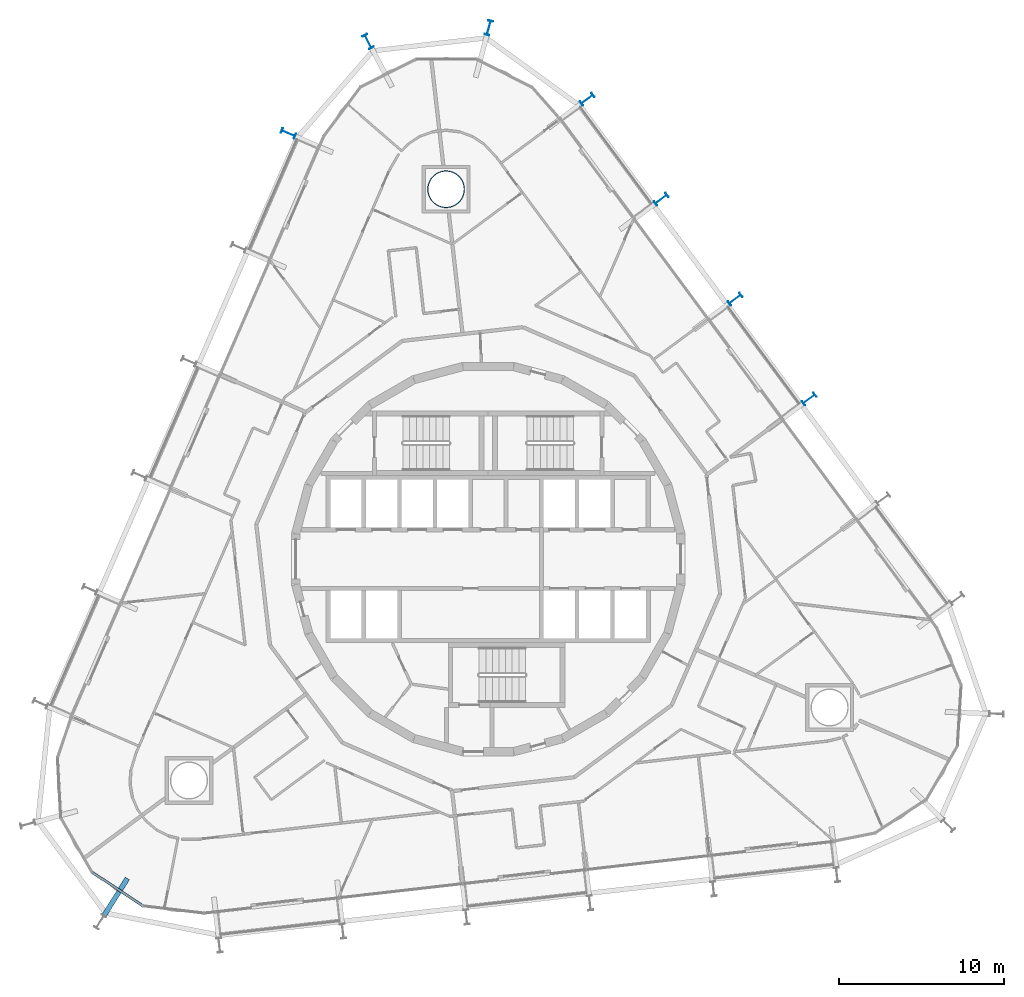
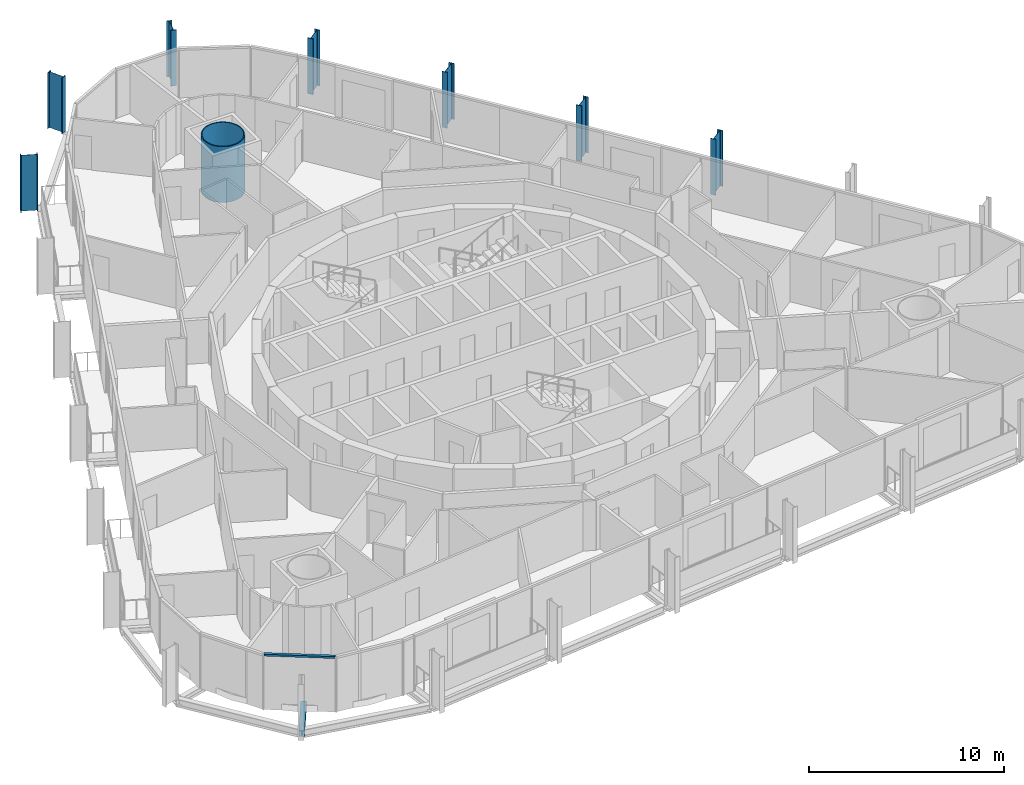
# One storey, part 2 of 24: 8 columns, 1 beam, 1 member, 1 element without a shape of its own.
"""IFC4 building model written with IfcOpenShell, lengths in metres."""

from ifc_helpers import new_model, si_unit, direction, frame, origin, origin_2d, place, context, subcontext, project, spatial, rectangle, hollow_circle, i_section, extrude, material, layer, layer_set, material_profile, profile_set, type_object, element, aggregate, save


model = new_model("IFC4")

# Units and contexts
model_context = context("Model", 3, precision=1e-05, world=origin(), true_north=direction((0.0, 1.0)))
body_context = subcontext(model_context, "Body", "Model", "MODEL_VIEW")
ifc_project = project(units=[si_unit("LENGTHUNIT", "METRE"), si_unit("AREAUNIT", "SQUARE_METRE"), si_unit("VOLUMEUNIT", "CUBIC_METRE"), si_unit("PLANEANGLEUNIT", "RADIAN"), si_unit("MASSUNIT", "GRAM", prefix="KILO")], contexts=[model_context])

# Site, building, storey
site_placement = place(None, origin())
site = spatial("IfcSite", under=ifc_project, at=site_placement, CompositionType="ELEMENT")
building_placement = place(site_placement, origin())
building = spatial("IfcBuilding", under=site, at=building_placement, Name="Spindle Arch Residences", CompositionType="ELEMENT")
storey_placement = place(building_placement, frame((0.0, 0.0, 87.199951171875)))
storey = spatial("IfcBuildingStorey", under=building, at=storey_placement, Name="L20", CompositionType="ELEMENT", Elevation=87.199951171875)

# Columns
ifc_material_1 = material(Name="Steel S460ML, intumescent coating R 240", Category="steel")
ifc_material_profile_1 = material_profile(ifc_material_1, i_section(OverallWidth=0.300048828125, OverallDepth=0.89990234375, WebThickness=0.0185546875, FlangeThickness=0.034912109375, FilletRadius=0.030029296875, at=origin_2d()), Name="HEB 900")
ifc_profile_set_1 = profile_set([ifc_material_profile_1], Name="Steel S460ML, intumescent coating R 240")
column_type_1 = type_object("IfcColumnType", Name="Exoskeleton post HEB 900", PredefinedType="COLUMN", material=ifc_profile_set_1)
for number, where, z_axis, x_axis, name in (
    (1, (19.404541015625, 9.681884765625, -0.3798828125), (0.0, 0.0, 1.0), (0.594822857897, -0.803856807972, 0.0), "Exoskeleton post 8"),
    (2, (14.93212890625, 15.72607421875, -0.3798828125), (0.0, 0.0, 1.0), (0.594822857897, -0.803856807972, 0.0), "Exoskeleton post 9"),
    (3, (10.459716796875, 21.77001953125, -0.3798828125), (0.0, 0.0, 1.0), (0.594822857897, -0.803856807972, 0.0), "Exoskeleton post 10"),
    (4, (5.987548828125, 27.814208984375, -0.3798828125), (0.0, 0.0, 1.0), (0.594822857897, -0.803856807972, 0.0), "Exoskeleton post 11"),
    (5, (0.035888671875, 32.134033203125, -0.3798828125), (0.0, 0.0, 1.0), (0.966704856799, -0.255893962102, 0.0), "Exoskeleton post 12"),
    (6, (-7.263427734375, 31.302490234375, -0.3798828125), (0.0, 0.0, 1.0), (0.884364605378, 0.466796791715, 0.0), "Exoskeleton post 13"),
    (7, (-12.0908203125, 25.75439453125, -0.3798828125), (0.0, 0.0, 1.0), (0.398749038162, 0.917060087761, 0.0), "Exoskeleton post 14"),
):
    element("IfcColumn", number, at=place(storey_placement, frame(where, z_axis=z_axis, x_axis=x_axis)), inside=storey, type_object=column_type_1, Name=name, PredefinedType="COLUMN", context=body_context, shape_type="SweptSolid", body=[
        extrude(i_section(OverallWidth=0.300048828125, OverallDepth=0.89990234375, WebThickness=0.0185546875, FlangeThickness=0.034912109375, FilletRadius=0.030029296875, at=origin_2d()), origin(), (0.0, 0.0, 1.0), 3.5),
    ])
ifc_material_2 = material(Name="Concrete C50/60 filled steel tube S460ML, intumescent coating R 240", Category="concrete")
ifc_material_profile_2 = material_profile(ifc_material_2, hollow_circle(Radius=1.125, WallThickness=0.054931640625, at=origin_2d()), Name="CFT D2250x55")
ifc_profile_set_2 = profile_set([ifc_material_profile_2], Name="Concrete C50/60 filled steel tube S460ML, intumescent coating R 240")
column_type_2 = type_object("IfcColumnType", Name="Mega-column CFT D2250x55", PredefinedType="COLUMN", material=ifc_profile_set_2)
column_placement = place(storey_placement, frame((-2.548828125, 22.370361328125, -0.3798828125), z_axis=(0.0, 0.0, 1.0), x_axis=(1.0, 0.0, 0.0)))
element("IfcColumn", 8, at=column_placement, inside=storey, type_object=column_type_2, Name="Mega-column 2", PredefinedType="COLUMN", context=body_context, shape_type="SweptSolid", body=[
    extrude(hollow_circle(Radius=1.125, WallThickness=0.054931640625, at=origin_2d()), origin(), (0.0, 0.0, 1.0), 3.5),
])

# Curtain wall, member
ifc_material_3 = material(Name="Aluminium bronze unitised frame with tinted glass", Category="aluminium")
ifc_layer = layer(ifc_material_3, 0.159912109375)
ifc_layer_set = layer_set([ifc_layer], Name="CW-D corner wall on the fillet arcs")
curtain_wall_type = type_object("IfcCurtainWallType", Name="CW-D corner wall on the fillet arcs", PredefinedType="NOTDEFINED", material=ifc_layer_set)
curtain_wall_placement = place(storey_placement, origin())
curtain_wall = element("IfcCurtainWall", 9, at=curtain_wall_placement, inside=storey, type_object=curtain_wall_type, Name="CW-D L20 run 5", PredefinedType="NOTDEFINED")
ifc_material_4 = material(Name="Aluminium bronze anodised transom", Category="aluminium")
ifc_material_profile_3 = material_profile(ifc_material_4, rectangle(XDim=0.159912109375, YDim=0.1201171875, at=origin_2d()), Name="TR 120x160")
ifc_profile_set_3 = profile_set([ifc_material_profile_3], Name="Aluminium bronze anodised transom")
member_type = type_object("IfcMemberType", Name="Bronze transom 120x160", PredefinedType="USERDEFINED", material=ifc_profile_set_3)
member_placement = place(storey_placement, frame((-23.967041015625, -18.936767578125, 3.06005859375), z_axis=(0.833899758412, -0.551915929214, 0.0), x_axis=(0.551915929214, 0.833899758412, 0.0)))
member = element("IfcMember", 10, at=member_placement, type_object=member_type, Name="CW-D transom 03", ObjectType="TRANSOM", PredefinedType="USERDEFINED", context=body_context, shape_type="SweptSolid", body=[
    extrude(rectangle(XDim=0.159912109375, YDim=0.1201171875, at=origin_2d()), origin(), (0.0, 0.0, 1.0), 3.666748046875),
])
aggregate(curtain_wall, [member])

# Beam
ifc_material_5 = material(Name="Steel S460ML, intumescent coating R 120", Category="steel")
ifc_material_profile_4 = material_profile(ifc_material_5, i_section(OverallWidth=0.300048828125, OverallDepth=0.389892578125, WebThickness=0.010986328125, FlangeThickness=0.01904296875, FilletRadius=0.027099609375, at=origin_2d()), Name="HEA 400")
ifc_profile_set_4 = profile_set([ifc_material_profile_4], Name="Steel S460ML, intumescent coating R 120")
beam_type = type_object("IfcBeamType", Name="Floor outrigger HEA 400", PredefinedType="BEAM", material=ifc_profile_set_4)
beam_placement = place(storey_placement, frame((-23.2373046875, -21.560546875, -0.574951171875), z_axis=(0.532414919102, 0.846483522532, 0.0), x_axis=(-0.846483522532, 0.532414919102, 0.0)))
element("IfcBeam", 11, at=beam_placement, inside=storey, type_object=beam_type, Name="Floor outrigger 21", PredefinedType="BEAM", context=body_context, shape_type="SweptSolid", body=[
    extrude(i_section(OverallWidth=0.300048828125, OverallDepth=0.389892578125, WebThickness=0.010986328125, FlangeThickness=0.01904296875, FilletRadius=0.027099609375, at=origin_2d()), origin(), (0.0, 0.0, 1.0), 2.64990234375),
])

save(model, "model.ifc")
